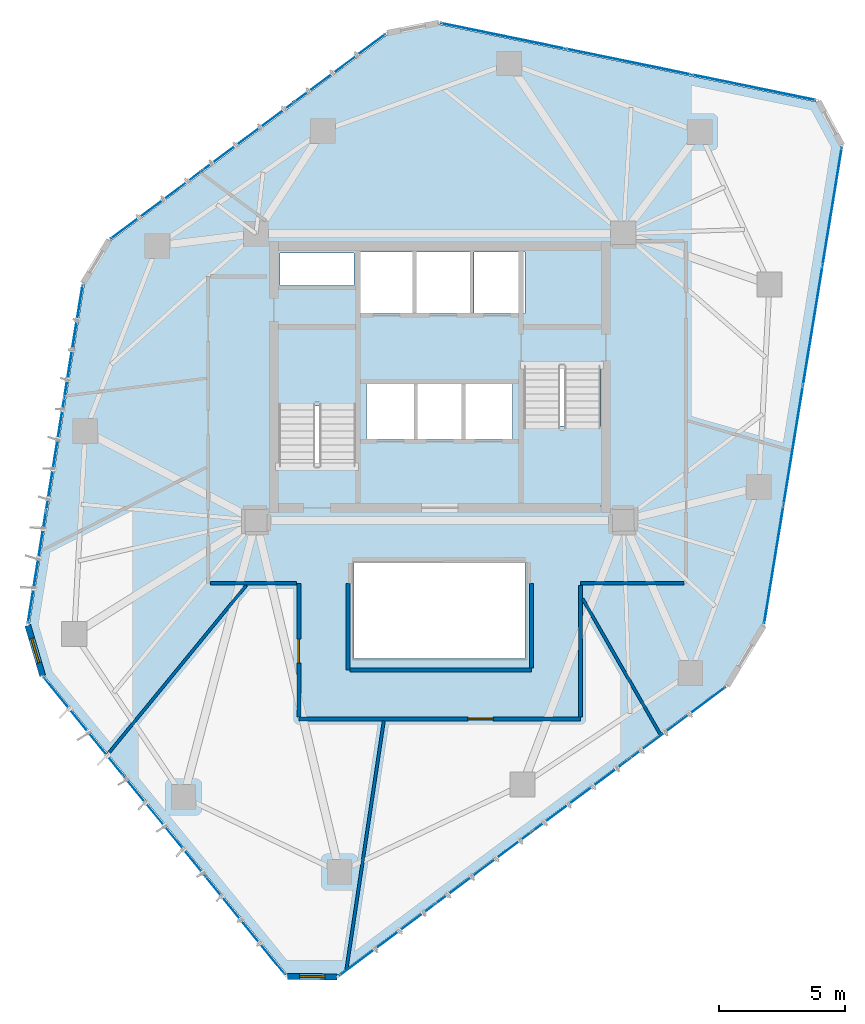
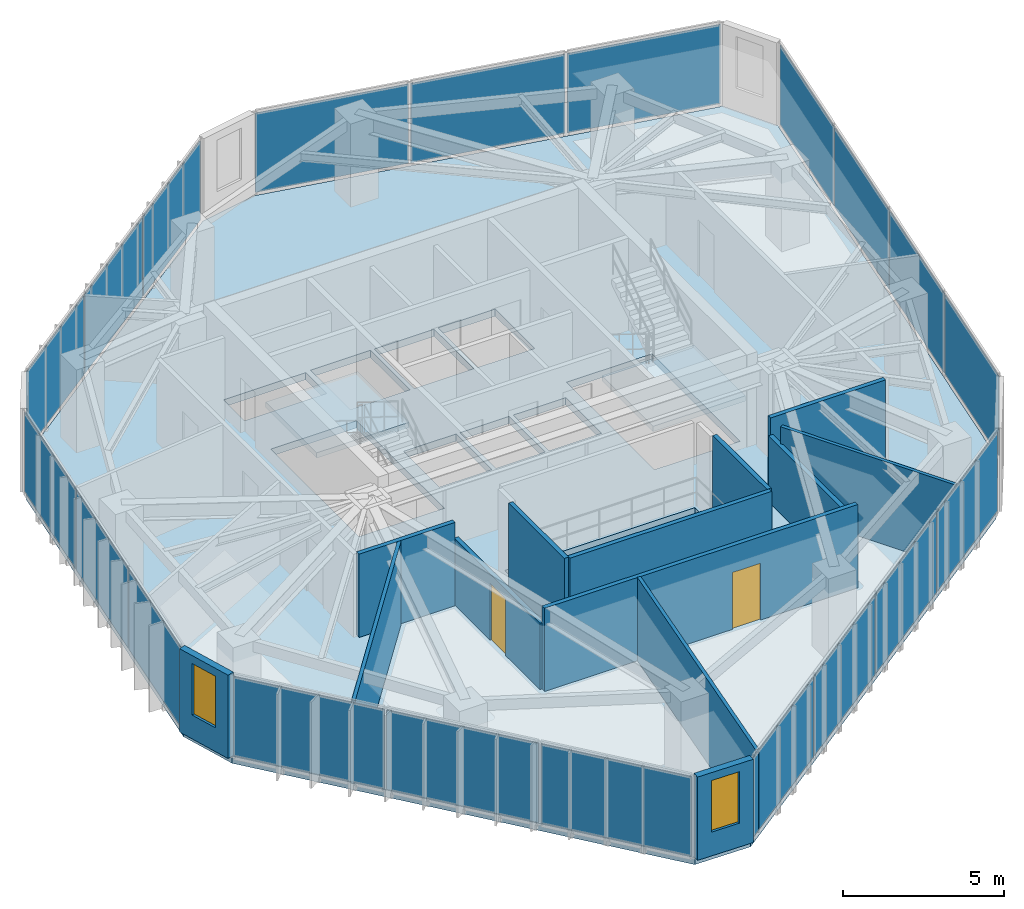
# One storey, part 16 of 20: 20 plates, 13 walls, 3 slabs, 2 doors, 2 windows, 4 openings, 8 elements without a shape of their own.
"""IFC4 building model written with IfcOpenShell, lengths in metres."""

from ifc_helpers import new_model, si_unit, direction, frame, frame_2d, origin, origin_2d, place, context, subcontext, project, spatial, polyline, rectangle, outline, extrude, source, transform, mapped, material, layer, layer_set, type_object, type_shapes, element, fill, aggregate, save


model = new_model("IFC4")

# Units and contexts
model_context = context("Model", 3, precision=1e-05, world=origin(), true_north=direction((0.0, 1.0)))
body_context = subcontext(model_context, "Body", "Model", "MODEL_VIEW")
ifc_project = project(units=[si_unit("LENGTHUNIT", "METRE"), si_unit("AREAUNIT", "SQUARE_METRE"), si_unit("VOLUMEUNIT", "CUBIC_METRE"), si_unit("PLANEANGLEUNIT", "RADIAN"), si_unit("MASSUNIT", "GRAM", prefix="KILO")], contexts=[model_context])

# Site, building, storey
site_placement = place(None, origin())
site = spatial("IfcSite", under=ifc_project, at=site_placement, CompositionType="ELEMENT")
building_placement = place(site_placement, origin())
building = spatial("IfcBuilding", under=site, at=building_placement, Name="Talar Marvaseh", CompositionType="ELEMENT")
storey_placement = place(building_placement, frame((0.0, 0.0, 198.5)))
storey = spatial("IfcBuildingStorey", under=building, at=storey_placement, Name="L52", CompositionType="ELEMENT", Elevation=198.5)

# Stair, slab
ifc_material_1 = material(Name="Concrete C40/50", Category="concrete")
stair_type = type_object("IfcStairType", Name="Reinforced Concrete High-Rise Exit Stair Type C", PredefinedType="HALF_TURN_STAIR", material=ifc_material_1)
stair_1_placement = place(storey_placement, origin())
stair_1 = element("IfcStair", 1, at=stair_1_placement, inside=storey, type_object=stair_type, Name="L52 Tower West Core Exit Stair", PredefinedType="HALF_TURN_STAIR")
ifc_layer_1 = layer(ifc_material_1, 0.199951171875)
ifc_layer_set_1 = layer_set([ifc_layer_1], Name="Concrete C40/50")
slab_type_1 = type_object("IfcSlabType", Name="Reinforced Concrete Stair Half-Landing Slab 200", PredefinedType="LANDING", material=ifc_layer_set_1)
slab_1_placement = place(storey_placement, frame((0.0, 0.0, 1.550048828125)))
slab_1 = element("IfcSlab", 2, at=slab_1_placement, type_object=slab_type_1, Name="ST-1 landing 1", PredefinedType="LANDING", context=body_context, shape_type="SweptSolid", body=[
    extrude(outline(polyline([(22.780029296875, 30.050048828125), (22.780029296875, 33.219970703125), (19.47998046875, 33.219970703125), (19.47998046875, 30.050048828125), (22.780029296875, 30.050048828125)])), origin(), (0.0, 0.0, 1.0), 0.199951171875),
])
aggregate(stair_1, [slab_1])

stair_2_placement = place(storey_placement, origin())
stair_2 = element("IfcStair", 3, at=stair_2_placement, inside=storey, type_object=stair_type, Name="L52 Tower East Core Exit Stair", PredefinedType="HALF_TURN_STAIR")
slab_2_placement = place(storey_placement, frame((0.0, 0.0, 1.550048828125)))
slab_2 = element("IfcSlab", 4, at=slab_2_placement, type_object=slab_type_1, Name="ST-2 landing 1", PredefinedType="LANDING", context=body_context, shape_type="SweptSolid", body=[
    extrude(outline(polyline([(29.219970703125, 29.25), (29.219970703125, 26.080078125), (32.52001953125, 26.080078125), (32.52001953125, 29.25), (29.219970703125, 29.25)])), origin(), (0.0, 0.0, 1.0), 0.199951171875),
])
aggregate(stair_2, [slab_2])

# Slab
ifc_layer_2 = layer(ifc_material_1, 0.27001953125)
ifc_layer_set_2 = layer_set([ifc_layer_2], Name="Concrete C40/50")
slab_type_2 = type_object("IfcSlabType", Name="Structural Suspended Floor Slab 270", PredefinedType="FLOOR", material=ifc_layer_set_2)
slab_3_placement = place(storey_placement, frame((0.0, 0.0, -0.27001953125)))
element("IfcSlab", 5, at=slab_3_placement, inside=storey, type_object=slab_type_2, Name="L52 Tower Floor Slab", PredefinedType="FLOOR", context=body_context, shape_type="SweptSolid", body=[
    extrude(outline(polyline([(21.922607421875, 7.40771484375), (19.9453125, 7.43603515625), (10.27197265625, 19.340576171875), (9.68310546875, 21.34423828125), (11.87451171875, 34.900146484375), (12.91357421875, 36.612548828125), (23.92578125, 44.815673828125), (25.97509765625, 45.218505859375), (41.001220703125, 42.13525390625), (41.939453125, 40.394287109375), (38.836181640625, 21.357421875), (37.375732421875, 18.95068359375), (21.922607421875, 7.40771484375)]), holes=[polyline([(22.659912109375, 27.64990234375), (22.659912109375, 33.10009765625), (19.60009765625, 33.10009765625), (19.60009765625, 27.64990234375), (22.659912109375, 27.64990234375)]), polyline([(29.340087890625, 31.64990234375), (29.340087890625, 26.199951171875), (32.39990234375, 26.199951171875), (32.39990234375, 31.64990234375), (29.340087890625, 31.64990234375)]), polyline([(22.800048828125, 33.719970703125), (24.93994140625, 33.719970703125), (24.93994140625, 36.179931640625), (22.800048828125, 36.179931640625), (22.800048828125, 33.719970703125)]), polyline([(25.080078125, 33.719970703125), (27.219970703125, 33.719970703125), (27.219970703125, 36.179931640625), (25.080078125, 36.179931640625), (25.080078125, 33.719970703125)]), polyline([(27.360107421875, 33.719970703125), (29.39990234375, 33.719970703125), (29.39990234375, 36.179931640625), (27.360107421875, 36.179931640625), (27.360107421875, 33.719970703125)]), polyline([(23.10009765625, 28.719970703125), (24.97998046875, 28.719970703125), (24.97998046875, 30.93994140625), (23.10009765625, 30.93994140625), (23.10009765625, 28.719970703125)]), polyline([(25.1201171875, 28.719970703125), (26.8798828125, 28.719970703125), (26.8798828125, 30.93994140625), (25.1201171875, 30.93994140625), (25.1201171875, 28.719970703125)]), polyline([(27.02001953125, 28.719970703125), (28.89990234375, 28.719970703125), (28.89990234375, 30.93994140625), (27.02001953125, 30.93994140625), (27.02001953125, 28.719970703125)]), polyline([(19.659912109375, 34.840087890625), (22.60009765625, 34.840087890625), (22.60009765625, 36.139892578125), (19.659912109375, 36.139892578125), (19.659912109375, 34.840087890625)]), polyline([(22.60009765625, 20.0), (29.39990234375, 20.0), (29.39990234375, 23.800048828125), (22.60009765625, 23.800048828125), (22.60009765625, 20.0)])]), origin(), (0.0, 0.0, 1.0), 0.27001953125),
])

# Curtain wall, plates
ifc_material_2 = material(Name="Architectural Aluminium", Category="aluminium")
ifc_layer_3 = layer(ifc_material_2, 0.18994140625)
ifc_layer_set_3 = layer_set([ifc_layer_3], Name="Architectural Aluminium")
curtain_wall_type = type_object("IfcCurtainWallType", Name="Unitised Solar Atelier Curtain Wall Z3", PredefinedType="NOTDEFINED", material=ifc_layer_set_3)
curtain_wall_1_placement = place(storey_placement, origin())
curtain_wall_1 = element("IfcCurtainWall", 6, at=curtain_wall_1_placement, inside=storey, type_object=curtain_wall_type, Name="L52 Unitised Solar Atelier Curtain Wall Z3", PredefinedType="NOTDEFINED")
ifc_material_3 = material(Name="Laminated Low-E Solar Glass", Category="glass")
ifc_layer_4 = layer(ifc_material_3, 0.028076171875)
ifc_layer_set_4 = layer_set([ifc_layer_4], Name="Laminated Low-E Solar Glass")
plate_type = type_object("IfcPlateType", Name="Double-Glazed Low-E Vision Curtain Panel 28", PredefinedType="CURTAIN_PANEL", material=ifc_layer_set_4)
shared_shape_1 = source(origin(), body_context, "Body", "SweptSolid", [
    extrude(rectangle(XDim=5.00048828125, YDim=0.028076171875, at=origin_2d()), origin(), (0.0, 0.0, 1.0), 3.0),
])
plate_1_placement = place(storey_placement, frame((18.274658203125, 9.39697265625, 0.074951171875), z_axis=(0.0, 0.0, 1.0), x_axis=(-0.630626985138, 0.776086081319, 0.0)))
plate_1 = element("IfcPlate", 7, at=plate_1_placement, type_object=plate_type, Name="CW-Z3 panel 1.1", PredefinedType="CURTAIN_PANEL", context=body_context, shape_type="MappedRepresentation", body=[
    mapped(shared_shape_1, transform((0.0, 0.0, 0.0), x_axis=(1.0, 0.0, 0.0), y_axis=(0.0, 1.0, 0.0), z_axis=(0.0, 0.0, 1.0), scale=1.0)),
])
plate_2_placement = place(storey_placement, frame((11.849365234375, 17.30419921875, 0.074951171875), z_axis=(0.0, 0.0, 1.0), x_axis=(-0.630626985138, 0.776086081319, 0.0)))
plate_2 = element("IfcPlate", 8, at=plate_2_placement, type_object=plate_type, Name="CW-Z3 panel 3.1", PredefinedType="CURTAIN_PANEL", context=body_context, shape_type="MappedRepresentation", body=[
    mapped(shared_shape_1, transform((0.0, 0.0, 0.0), x_axis=(1.0, 0.0, 0.0), y_axis=(0.0, 1.0, 0.0), z_axis=(0.0, 0.0, 1.0), scale=1.0)),
])

curtain_wall_2_placement = place(storey_placement, origin())
curtain_wall_2 = element("IfcCurtainWall", 9, at=curtain_wall_2_placement, inside=storey, type_object=curtain_wall_type, Name="L52 Unitised Solar Atelier Curtain Wall Z3", PredefinedType="NOTDEFINED")
plate_3_placement = place(storey_placement, frame((28.510009765625, 44.759765625, 0.074951171875), z_axis=(0.0, 0.0, 1.0), x_axis=(0.979589042733, -0.201010714536, 0.0)))
plate_3 = element("IfcPlate", 10, at=plate_3_placement, type_object=plate_type, Name="CW-Z3 panel 1.1", PredefinedType="CURTAIN_PANEL", context=body_context, shape_type="MappedRepresentation", body=[
    mapped(shared_shape_1, transform((0.0, 0.0, 0.0), x_axis=(1.0, 0.0, 0.0), y_axis=(0.0, 1.0, 0.0), z_axis=(0.0, 0.0, 1.0), scale=1.0)),
])
plate_4_placement = place(storey_placement, frame((38.490478515625, 42.711669921875, 0.074951171875), z_axis=(0.0, 0.0, 1.0), x_axis=(0.979589042733, -0.201010714536, 0.0)))
plate_4 = element("IfcPlate", 11, at=plate_4_placement, type_object=plate_type, Name="CW-Z3 panel 3.1", PredefinedType="CURTAIN_PANEL", context=body_context, shape_type="MappedRepresentation", body=[
    mapped(shared_shape_1, transform((0.0, 0.0, 0.0), x_axis=(1.0, 0.0, 0.0), y_axis=(0.0, 1.0, 0.0), z_axis=(0.0, 0.0, 1.0), scale=1.0)),
])

# Plate
shared_shape_2 = source(origin(), body_context, "Body", "SweptSolid", [
    extrude(rectangle(XDim=5.0380859375, YDim=0.028076171875, at=origin_2d()), origin(), (0.0, 0.0, 1.0), 3.0),
])
plate_5_placement = place(storey_placement, frame((15.06201171875, 13.3505859375, 0.074951171875), z_axis=(0.0, 0.0, 1.0), x_axis=(-0.630626985138, 0.776086081319, 0.0)))
plate_5 = element("IfcPlate", 12, at=plate_5_placement, type_object=plate_type, Name="CW-Z3 panel 2.1", PredefinedType="CURTAIN_PANEL", context=body_context, shape_type="MappedRepresentation", body=[
    mapped(shared_shape_2, transform((0.0, 0.0, 0.0), x_axis=(1.0, 0.0, 0.0), y_axis=(0.0, 1.0, 0.0), z_axis=(0.0, 0.0, 1.0), scale=1.0)),
])

aggregate(curtain_wall_1, [plate_1, plate_5, plate_2])

plate_6_placement = place(storey_placement, frame((33.500244140625, 43.735595703125, 0.074951171875), z_axis=(0.0, 0.0, 1.0), x_axis=(0.979589042733, -0.201010714536, 0.0)))
plate_6 = element("IfcPlate", 13, at=plate_6_placement, type_object=plate_type, Name="CW-Z3 panel 2.1", PredefinedType="CURTAIN_PANEL", context=body_context, shape_type="MappedRepresentation", body=[
    mapped(shared_shape_2, transform((0.0, 0.0, 0.0), x_axis=(1.0, 0.0, 0.0), y_axis=(0.0, 1.0, 0.0), z_axis=(0.0, 0.0, 1.0), scale=1.0)),
])

aggregate(curtain_wall_2, [plate_3, plate_6, plate_4])

# Curtain wall, plates
curtain_wall_3_placement = place(storey_placement, origin())
curtain_wall_3 = element("IfcCurtainWall", 14, at=curtain_wall_3_placement, inside=storey, type_object=curtain_wall_type, Name="L52 Unitised Solar Atelier Curtain Wall Z3", PredefinedType="NOTDEFINED")
shared_shape_3 = source(origin(), body_context, "Body", "SweptSolid", [
    extrude(rectangle(XDim=4.46484375, YDim=0.028076171875, at=origin_2d()), origin(), (0.0, 0.0, 1.0), 3.0),
])
plate_7_placement = place(storey_placement, frame((9.9921875, 23.631591796875, 0.074951171875), z_axis=(0.0, 0.0, 1.0), x_axis=(0.159571747475, 0.987186333682, 0.0)))
plate_7 = element("IfcPlate", 15, at=plate_7_placement, type_object=plate_type, Name="CW-Z3 panel 1.1", PredefinedType="CURTAIN_PANEL", context=body_context, shape_type="MappedRepresentation", body=[
    mapped(shared_shape_3, transform((0.0, 0.0, 0.0), x_axis=(1.0, 0.0, 0.0), y_axis=(0.0, 1.0, 0.0), z_axis=(0.0, 0.0, 1.0), scale=1.0)),
])
plate_8_placement = place(storey_placement, frame((11.447021484375, 32.6318359375, 0.074951171875), z_axis=(0.0, 0.0, 1.0), x_axis=(0.159571747475, 0.987186333682, 0.0)))
plate_8 = element("IfcPlate", 16, at=plate_8_placement, type_object=plate_type, Name="CW-Z3 panel 3.1", PredefinedType="CURTAIN_PANEL", context=body_context, shape_type="MappedRepresentation", body=[
    mapped(shared_shape_3, transform((0.0, 0.0, 0.0), x_axis=(1.0, 0.0, 0.0), y_axis=(0.0, 1.0, 0.0), z_axis=(0.0, 0.0, 1.0), scale=1.0)),
])

curtain_wall_4_placement = place(storey_placement, origin())
curtain_wall_4 = element("IfcCurtainWall", 17, at=curtain_wall_4_placement, inside=storey, type_object=curtain_wall_type, Name="L52 Unitised Solar Atelier Curtain Wall Z3", PredefinedType="NOTDEFINED")
plate_9_placement = place(storey_placement, frame((14.728271484375, 38.0390625, 0.074951171875), z_axis=(0.0, 0.0, 1.0), x_axis=(0.801961085514, 0.597376277836, 0.0)))
plate_9 = element("IfcPlate", 18, at=plate_9_placement, type_object=plate_type, Name="CW-Z3 panel 1.1", PredefinedType="CURTAIN_PANEL", context=body_context, shape_type="MappedRepresentation", body=[
    mapped(shared_shape_3, transform((0.0, 0.0, 0.0), x_axis=(1.0, 0.0, 0.0), y_axis=(0.0, 1.0, 0.0), z_axis=(0.0, 0.0, 1.0), scale=1.0)),
])
plate_10_placement = place(storey_placement, frame((22.039794921875, 43.4853515625, 0.074951171875), z_axis=(0.0, 0.0, 1.0), x_axis=(0.801961085514, 0.597376277836, 0.0)))
plate_10 = element("IfcPlate", 19, at=plate_10_placement, type_object=plate_type, Name="CW-Z3 panel 3.1", PredefinedType="CURTAIN_PANEL", context=body_context, shape_type="MappedRepresentation", body=[
    mapped(shared_shape_3, transform((0.0, 0.0, 0.0), x_axis=(1.0, 0.0, 0.0), y_axis=(0.0, 1.0, 0.0), z_axis=(0.0, 0.0, 1.0), scale=1.0)),
])

# Plate
shared_shape_4 = source(origin(), body_context, "Body", "SweptSolid", [
    extrude(rectangle(XDim=4.502197265625, YDim=0.028076171875, at=origin_2d()), origin(), (0.0, 0.0, 1.0), 3.0),
])
plate_11_placement = place(storey_placement, frame((10.719482421875, 28.1318359375, 0.074951171875), z_axis=(0.0, 0.0, 1.0), x_axis=(0.159571747475, 0.987186333682, 0.0)))
plate_11 = element("IfcPlate", 20, at=plate_11_placement, type_object=plate_type, Name="CW-Z3 panel 2.1", PredefinedType="CURTAIN_PANEL", context=body_context, shape_type="MappedRepresentation", body=[
    mapped(shared_shape_4, transform((0.0, 0.0, 0.0), x_axis=(1.0, 0.0, 0.0), y_axis=(0.0, 1.0, 0.0), z_axis=(0.0, 0.0, 1.0), scale=1.0)),
])

aggregate(curtain_wall_3, [plate_7, plate_11, plate_8])

plate_12_placement = place(storey_placement, frame((18.384033203125, 40.76220703125, 0.074951171875), z_axis=(0.0, 0.0, 1.0), x_axis=(0.801961085514, 0.597376277836, 0.0)))
plate_12 = element("IfcPlate", 21, at=plate_12_placement, type_object=plate_type, Name="CW-Z3 panel 2.1", PredefinedType="CURTAIN_PANEL", context=body_context, shape_type="MappedRepresentation", body=[
    mapped(shared_shape_4, transform((0.0, 0.0, 0.0), x_axis=(1.0, 0.0, 0.0), y_axis=(0.0, 1.0, 0.0), z_axis=(0.0, 0.0, 1.0), scale=1.0)),
])

aggregate(curtain_wall_4, [plate_9, plate_12, plate_10])

# Curtain wall, plates
curtain_wall_5_placement = place(storey_placement, origin())
curtain_wall_5 = element("IfcCurtainWall", 22, at=curtain_wall_5_placement, inside=storey, type_object=curtain_wall_type, Name="L52 Unitised Solar Atelier Curtain Wall Z3", PredefinedType="NOTDEFINED")
shared_shape_5 = source(origin(), body_context, "Body", "SweptSolid", [
    extrude(rectangle(XDim=4.70947265625, YDim=0.028076171875, at=origin_2d()), origin(), (0.0, 0.0, 1.0), 3.0),
])
plate_13_placement = place(storey_placement, frame((41.607666015625, 37.986328125, 0.074951171875), z_axis=(0.0, 0.0, 1.0), x_axis=(-0.160896300608, -0.986971316934, 0.0)))
plate_13 = element("IfcPlate", 23, at=plate_13_placement, type_object=plate_type, Name="CW-Z3 panel 1.1", PredefinedType="CURTAIN_PANEL", context=body_context, shape_type="MappedRepresentation", body=[
    mapped(shared_shape_5, transform((0.0, 0.0, 0.0), x_axis=(1.0, 0.0, 0.0), y_axis=(0.0, 1.0, 0.0), z_axis=(0.0, 0.0, 1.0), scale=1.0)),
])
plate_14_placement = place(storey_placement, frame((39.2861328125, 23.74560546875, 0.074951171875), z_axis=(0.0, 0.0, 1.0), x_axis=(-0.160896300608, -0.986971316934, 0.0)))
plate_14 = element("IfcPlate", 24, at=plate_14_placement, type_object=plate_type, Name="CW-Z3 panel 4.1", PredefinedType="CURTAIN_PANEL", context=body_context, shape_type="MappedRepresentation", body=[
    mapped(shared_shape_5, transform((0.0, 0.0, 0.0), x_axis=(1.0, 0.0, 0.0), y_axis=(0.0, 1.0, 0.0), z_axis=(0.0, 0.0, 1.0), scale=1.0)),
])

curtain_wall_6_placement = place(storey_placement, origin())
curtain_wall_6 = element("IfcCurtainWall", 25, at=curtain_wall_6_placement, inside=storey, type_object=curtain_wall_type, Name="L52 Unitised Solar Atelier Curtain Wall Z3", PredefinedType="NOTDEFINED")
plate_15_placement = place(storey_placement, frame((35.46484375, 17.448486328125, 0.074951171875), z_axis=(0.0, 0.0, 1.0), x_axis=(-0.801161899523, -0.598447667514, 0.0)))
plate_15 = element("IfcPlate", 26, at=plate_15_placement, type_object=plate_type, Name="CW-Z3 panel 1.1", PredefinedType="CURTAIN_PANEL", context=body_context, shape_type="MappedRepresentation", body=[
    mapped(shared_shape_5, transform((0.0, 0.0, 0.0), x_axis=(1.0, 0.0, 0.0), y_axis=(0.0, 1.0, 0.0), z_axis=(0.0, 0.0, 1.0), scale=1.0)),
])
plate_16_placement = place(storey_placement, frame((23.9052734375, 8.8134765625, 0.074951171875), z_axis=(0.0, 0.0, 1.0), x_axis=(-0.801161899523, -0.598447667514, 0.0)))
plate_16 = element("IfcPlate", 27, at=plate_16_placement, type_object=plate_type, Name="CW-Z3 panel 4.1", PredefinedType="CURTAIN_PANEL", context=body_context, shape_type="MappedRepresentation", body=[
    mapped(shared_shape_5, transform((0.0, 0.0, 0.0), x_axis=(1.0, 0.0, 0.0), y_axis=(0.0, 1.0, 0.0), z_axis=(0.0, 0.0, 1.0), scale=1.0)),
])

# Plate
shared_shape_6 = source(origin(), body_context, "Body", "SweptSolid", [
    extrude(rectangle(XDim=4.7470703125, YDim=0.028076171875, at=origin_2d()), origin(), (0.0, 0.0, 1.0), 3.0),
])
type_shapes(plate_type, [shared_shape_1, shared_shape_2, shared_shape_3, shared_shape_4, shared_shape_5, shared_shape_6])
plate_17_placement = place(storey_placement, frame((40.8349609375, 33.24560546875, 0.074951171875), z_axis=(0.0, 0.0, 1.0), x_axis=(-0.160896300608, -0.986971316934, 0.0)))
plate_17 = element("IfcPlate", 28, at=plate_17_placement, type_object=plate_type, Name="CW-Z3 panel 2.1", PredefinedType="CURTAIN_PANEL", context=body_context, shape_type="MappedRepresentation", body=[
    mapped(shared_shape_6, transform((0.0, 0.0, 0.0), x_axis=(1.0, 0.0, 0.0), y_axis=(0.0, 1.0, 0.0), z_axis=(0.0, 0.0, 1.0), scale=1.0)),
])

plate_18_placement = place(storey_placement, frame((40.05908203125, 28.486328125, 0.074951171875), z_axis=(0.0, 0.0, 1.0), x_axis=(-0.160896300608, -0.986971316934, 0.0)))
plate_18 = element("IfcPlate", 29, at=plate_18_placement, type_object=plate_type, Name="CW-Z3 panel 3.1", PredefinedType="CURTAIN_PANEL", context=body_context, shape_type="MappedRepresentation", body=[
    mapped(shared_shape_6, transform((0.0, 0.0, 0.0), x_axis=(1.0, 0.0, 0.0), y_axis=(0.0, 1.0, 0.0), z_axis=(0.0, 0.0, 1.0), scale=1.0)),
])

aggregate(curtain_wall_5, [plate_13, plate_17, plate_18, plate_14])

plate_19_placement = place(storey_placement, frame((31.61669921875, 14.573974609375, 0.074951171875), z_axis=(0.0, 0.0, 1.0), x_axis=(-0.801161899523, -0.598447667514, 0.0)))
plate_19 = element("IfcPlate", 30, at=plate_19_placement, type_object=plate_type, Name="CW-Z3 panel 2.1", PredefinedType="CURTAIN_PANEL", context=body_context, shape_type="MappedRepresentation", body=[
    mapped(shared_shape_6, transform((0.0, 0.0, 0.0), x_axis=(1.0, 0.0, 0.0), y_axis=(0.0, 1.0, 0.0), z_axis=(0.0, 0.0, 1.0), scale=1.0)),
])

plate_20_placement = place(storey_placement, frame((27.75341796875, 11.688232421875, 0.074951171875), z_axis=(0.0, 0.0, 1.0), x_axis=(-0.801161899523, -0.598447667514, 0.0)))
plate_20 = element("IfcPlate", 31, at=plate_20_placement, type_object=plate_type, Name="CW-Z3 panel 3.1", PredefinedType="CURTAIN_PANEL", context=body_context, shape_type="MappedRepresentation", body=[
    mapped(shared_shape_6, transform((0.0, 0.0, 0.0), x_axis=(1.0, 0.0, 0.0), y_axis=(0.0, 1.0, 0.0), z_axis=(0.0, 0.0, 1.0), scale=1.0)),
])

aggregate(curtain_wall_6, [plate_15, plate_19, plate_20, plate_16])

# Wall, opening, window
ifc_material_4 = material(Name="Precast concrete C45/55", Category="concrete")
ifc_layer_5 = layer(ifc_material_4, 0.239990234375)
ifc_layer_set_5 = layer_set([ifc_layer_5], Name="Precast concrete C45/55")
wall_type_1 = type_object("IfcWallType", Name="Chamfered Hexagonal Corner Pier Wall Z3 240", PredefinedType="SOLIDWALL", material=ifc_layer_set_5)
wall_1_placement = place(storey_placement, frame((21.921875, 7.34765625, 0.0), z_axis=(0.0, 0.0, 1.0), x_axis=(-0.999895695334, 0.014442937821, 0.0)))
wall_1 = element("IfcWall", 32, at=wall_1_placement, inside=storey, type_object=wall_type_1, Name="L52 Chamfered Corner Limestone Pier 1", PredefinedType="SOLIDWALL", context=body_context, shape_type="SweptSolid", body=[
    extrude(rectangle(XDim=1.977783203125, YDim=0.239990234375, at=frame_2d((0.98876953125, 0.0))), origin(), (0.0, 0.0, 1.0), 3.14990234375),
])
opening_1_placement = place(wall_1_placement, frame((0.489013671875, 0.0, 0.89990234375)))
opening_1 = element("IfcOpeningElement", 33, at=opening_1_placement, cuts=wall_1, Name="Opening WN-CHM10", PredefinedType="OPENING", context=body_context, shape_type="SweptSolid", body=[
    extrude(rectangle(XDim=1.0, YDim=1.949951171875, at=frame_2d((0.5, 0.97509765625))), frame((0.0, 0.1298828125, 0.0), z_axis=(0.0, -1.0, 0.0), x_axis=(1.0, 0.0, 0.0)), (0.0, 0.0, 1.0), 0.260009765625),
])
window_type = type_object("IfcWindowType", Name="Zone 3 Chamfered Corner Slot Window 1000x1950", PartitioningType="SINGLE_PANEL", PredefinedType="WINDOW", material=ifc_material_3)
shared_shape_7 = source(origin(), body_context, "Body", "SweptSolid", [
    extrude(rectangle(XDim=1.0, YDim=1.949951171875, at=frame_2d((0.5, 0.97509765625))), frame((0.0, 0.030029296875, 0.0), z_axis=(0.0, -1.0, 0.0), x_axis=(1.0, 0.0, 0.0)), (0.0, 0.0, 1.0), 0.06005859375),
])
type_shapes(window_type, [shared_shape_7])
window_1_placement = place(opening_1_placement, origin())
window_1 = element("IfcWindow", 34, at=window_1_placement, inside=storey, type_object=window_type, Name="L52 Chamfered Corner Slot Window", OverallHeight=1.949951171875, OverallWidth=1.0, PartitioningType="SINGLE_PANEL", PredefinedType="WINDOW", context=body_context, shape_type="MappedRepresentation", body=[
    mapped(shared_shape_7, transform((0.0, 0.0, 0.0), x_axis=(1.0, 0.0, 0.0), y_axis=(0.0, 1.0, 0.0), z_axis=(0.0, 0.0, 1.0), scale=1.0)),
])
fill(opening_1, window_1)

wall_2_placement = place(storey_placement, frame((10.21435546875, 19.323486328125, 0.0), z_axis=(0.0, 0.0, 1.0), x_axis=(-0.281938492365, 0.959432481482, 0.0)))
wall_2 = element("IfcWall", 35, at=wall_2_placement, inside=storey, type_object=wall_type_1, Name="L52 Chamfered Corner Limestone Pier 2", PredefinedType="SOLIDWALL", context=body_context, shape_type="SweptSolid", body=[
    extrude(rectangle(XDim=2.088623046875, YDim=0.239990234375, at=frame_2d((1.04443359375, 0.0))), origin(), (0.0, 0.0, 1.0), 3.14990234375),
])
opening_2_placement = place(wall_2_placement, frame((0.5439453125, 0.0, 0.89990234375)))
opening_2 = element("IfcOpeningElement", 36, at=opening_2_placement, cuts=wall_2, Name="Opening WN-CHM10", PredefinedType="OPENING", context=body_context, shape_type="SweptSolid", body=[
    extrude(rectangle(XDim=1.0, YDim=1.949951171875, at=frame_2d((0.5, 0.97509765625))), frame((0.0, 0.1298828125, 0.0), z_axis=(0.0, -1.0, 0.0), x_axis=(1.0, 0.0, 0.0)), (0.0, 0.0, 1.0), 0.260009765625),
])
window_2_placement = place(opening_2_placement, origin())
window_2 = element("IfcWindow", 37, at=window_2_placement, inside=storey, type_object=window_type, Name="L52 Chamfered Corner Slot Window", OverallHeight=1.949951171875, OverallWidth=1.0, PartitioningType="SINGLE_PANEL", PredefinedType="WINDOW", context=body_context, shape_type="MappedRepresentation", body=[
    mapped(shared_shape_7, transform((0.0, 0.0, 0.0), x_axis=(1.0, 0.0, 0.0), y_axis=(0.0, 1.0, 0.0), z_axis=(0.0, 0.0, 1.0), scale=1.0)),
])
fill(opening_2, window_2)

# Wall, opening, door
ifc_material_5 = material(Name="Gypsum Board Partition Assembly")
ifc_layer_6 = layer(ifc_material_5, 0.155029296875)
ifc_layer_set_6 = layer_set([ifc_layer_6], Name="Gypsum Board Partition Assembly")
wall_type_2 = type_object("IfcWallType", Name="Corridor Fire-Rated Acoustic Partition 155", PredefinedType="PARTITIONING", material=ifc_layer_set_6)
wall_3_placement = place(storey_placement, frame((31.60009765625, 17.60009765625, 0.0), z_axis=(0.0, 0.0, 1.0), x_axis=(-1.0, 0.0, 0.0)))
wall_3 = element("IfcWall", 38, at=wall_3_placement, inside=storey, type_object=wall_type_2, Name="L52 Interior Partition Wall", PredefinedType="PARTITIONING", context=body_context, shape_type="SweptSolid", body=[
    extrude(rectangle(XDim=11.2001953125, YDim=0.155029296875, at=frame_2d((5.60009765625, 0.0))), origin(), (0.0, 0.0, 1.0), 3.14990234375),
])
opening_3_placement = place(wall_3_placement, frame((3.475341796875, 0.0, 0.0)))
opening_3 = element("IfcOpeningElement", 39, at=opening_3_placement, cuts=wall_3, Name="Opening DR-RM100", PredefinedType="OPENING", context=body_context, shape_type="SweptSolid", body=[
    extrude(rectangle(XDim=1.0, YDim=2.14990234375, at=frame_2d((0.5, 1.074951171875))), frame((0.0, 0.08740234375, 0.0), z_axis=(0.0, -1.0, 0.0), x_axis=(1.0, 0.0, 0.0)), (0.0, 0.0, 1.0), 0.175048828125),
])
ifc_material_6 = material(Name="Acoustic Engineered Oak Timber", Category="wood")
door_type_1 = type_object("IfcDoorType", Name="Corridor Fire-Rated Gallery Door 1000x2150", OperationType="NOTDEFINED", PredefinedType="DOOR", material=ifc_material_6)
shared_shape_8 = source(origin(), body_context, "Body", "SweptSolid", [
    extrude(rectangle(XDim=1.0, YDim=2.14990234375, at=frame_2d((0.5, 1.074951171875))), frame((0.0, 0.02490234375, 0.0), z_axis=(0.0, -1.0, 0.0), x_axis=(1.0, 0.0, 0.0)), (0.0, 0.0, 1.0), 0.050048828125),
])
type_shapes(door_type_1, [shared_shape_8])
door_1_placement = place(opening_3_placement, origin())
door_1 = element("IfcDoor", 40, at=door_1_placement, inside=storey, type_object=door_type_1, Name="L52 Colloquium Boardroom Door", OperationType="SINGLE_SWING_LEFT", OverallHeight=2.14990234375, OverallWidth=1.0, PredefinedType="DOOR", context=body_context, shape_type="MappedRepresentation", body=[
    mapped(shared_shape_8, transform((0.0, 0.0, 0.0), x_axis=(1.0, 0.0, 0.0), y_axis=(0.0, 1.0, 0.0), z_axis=(0.0, 0.0, 1.0), scale=1.0)),
])
fill(opening_3, door_1)

wall_4_placement = place(storey_placement, frame((20.39990234375, 17.68359375, 0.0), z_axis=(0.0, 0.0, 1.0), x_axis=(0.0, 1.0, 0.0)))
wall_4 = element("IfcWall", 41, at=wall_4_placement, inside=storey, type_object=wall_type_2, Name="L52 Interior Partition Wall", PredefinedType="PARTITIONING", context=body_context, shape_type="SweptSolid", body=[
    extrude(rectangle(XDim=5.31640625, YDim=0.155029296875, at=frame_2d((2.658203125, 0.0))), origin(), (0.0, 0.0, 1.0), 2.509033203125),
])
opening_4_placement = place(wall_4_placement, frame((2.1416015625, 0.0, 0.0)))
opening_4 = element("IfcOpeningElement", 42, at=opening_4_placement, cuts=wall_4, Name="Opening DR-WC095", PredefinedType="OPENING", context=body_context, shape_type="SweptSolid", body=[
    extrude(rectangle(XDim=0.949951171875, YDim=2.14990234375, at=frame_2d((0.47509765625, 1.074951171875))), frame((0.0, 0.08740234375, 0.0), z_axis=(0.0, -1.0, 0.0), x_axis=(1.0, 0.0, 0.0)), (0.0, 0.0, 1.0), 0.175048828125),
])
door_type_2 = type_object("IfcDoorType", Name="Washroom and Service Room Door 950x2150", OperationType="NOTDEFINED", PredefinedType="DOOR", material=ifc_material_6)
shared_shape_9 = source(origin(), body_context, "Body", "SweptSolid", [
    extrude(rectangle(XDim=0.949951171875, YDim=2.14990234375, at=frame_2d((0.47509765625, 1.074951171875))), frame((0.0, 0.02490234375, 0.0), z_axis=(0.0, -1.0, 0.0), x_axis=(1.0, 0.0, 0.0)), (0.0, 0.0, 1.0), 0.050048828125),
])
type_shapes(door_type_2, [shared_shape_9])
door_2_placement = place(opening_4_placement, origin())
door_2 = element("IfcDoor", 43, at=door_2_placement, inside=storey, type_object=door_type_2, Name="L52 Hospitality Tea Pantry Door", OperationType="SINGLE_SWING_RIGHT", OverallHeight=2.14990234375, OverallWidth=0.949951171875, PredefinedType="DOOR", context=body_context, shape_type="MappedRepresentation", body=[
    mapped(shared_shape_9, transform((0.0, 0.0, 0.0), x_axis=(1.0, 0.0, 0.0), y_axis=(0.0, 1.0, 0.0), z_axis=(0.0, 0.0, 1.0), scale=1.0)),
])
fill(opening_4, door_2)

# Walls
wall_5_placement = place(storey_placement, frame((35.716552734375, 23.0, 0.0), z_axis=(0.0, 0.0, 1.0), x_axis=(-1.0, 0.0, 0.0)))
element("IfcWall", 44, at=wall_5_placement, inside=storey, type_object=wall_type_2, Name="L52 Interior Partition Wall", PredefinedType="PARTITIONING", context=body_context, shape_type="SweptSolid", body=[
    extrude(rectangle(XDim=4.116455078125, YDim=0.155029296875, at=frame_2d((2.05810546875, 0.0))), origin(), (0.0, 0.0, 1.0), 3.14990234375),
])
wall_6_placement = place(storey_placement, frame((31.60009765625, 22.91650390625, 0.0), z_axis=(0.0, 0.0, 1.0), x_axis=(0.0, -1.0, 0.0)))
element("IfcWall", 45, at=wall_6_placement, inside=storey, type_object=wall_type_2, Name="L52 Interior Partition Wall", PredefinedType="PARTITIONING", context=body_context, shape_type="SweptSolid", body=[
    extrude(rectangle(XDim=5.23291015625, YDim=0.155029296875, at=frame_2d((2.616455078125, 0.0))), origin(), (0.0, 0.0, 1.0), 2.509033203125),
])
wall_7_placement = place(storey_placement, frame((20.31640625, 23.0, 0.0), z_axis=(0.0, 0.0, 1.0), x_axis=(-1.0, 0.0, 0.0)))
element("IfcWall", 46, at=wall_7_placement, inside=storey, type_object=wall_type_2, Name="L52 Interior Partition Wall", PredefinedType="PARTITIONING", context=body_context, shape_type="SweptSolid", body=[
    extrude(rectangle(XDim=3.432861328125, YDim=0.155029296875, at=frame_2d((1.71630859375, 0.0))), origin(), (0.0, 0.0, 1.0), 3.14990234375),
])
wall_8_placement = place(storey_placement, frame((22.35009765625, 23.0, 0.0), z_axis=(0.0, 0.0, 1.0), x_axis=(0.0, -1.0, 0.0)))
element("IfcWall", 47, at=wall_8_placement, inside=storey, type_object=wall_type_2, Name="L52 Interior Partition Wall", PredefinedType="PARTITIONING", context=body_context, shape_type="SweptSolid", body=[
    extrude(rectangle(XDim=3.449951171875, YDim=0.155029296875, at=frame_2d((1.72509765625, 0.0))), origin(), (0.0, 0.0, 1.0), 3.14990234375),
])
wall_9_placement = place(storey_placement, frame((22.43359375, 19.550048828125, 0.0), z_axis=(0.0, 0.0, 1.0), x_axis=(1.0, 0.0, 0.0)))
element("IfcWall", 48, at=wall_9_placement, inside=storey, type_object=wall_type_2, Name="L52 Interior Partition Wall", PredefinedType="PARTITIONING", context=body_context, shape_type="SweptSolid", body=[
    extrude(rectangle(XDim=7.21630859375, YDim=0.155029296875, at=frame_2d((3.608154296875, 0.0))), origin(), (0.0, 0.0, 1.0), 3.14990234375),
])
wall_10_placement = place(storey_placement, frame((29.64990234375, 19.633544921875, 0.0), z_axis=(0.0, 0.0, 1.0), x_axis=(0.0, 1.0, 0.0)))
element("IfcWall", 49, at=wall_10_placement, inside=storey, type_object=wall_type_2, Name="L52 Interior Partition Wall", PredefinedType="PARTITIONING", context=body_context, shape_type="SweptSolid", body=[
    extrude(rectangle(XDim=3.366455078125, YDim=0.155029296875, at=frame_2d((1.68310546875, 0.0))), origin(), (0.0, 0.0, 1.0), 3.14990234375),
])
ifc_layer_7 = layer(ifc_material_5, 0.1201171875)
ifc_layer_set_7 = layer_set([ifc_layer_7], Name="Gypsum Board Partition Assembly")
wall_type_3 = type_object("IfcWallType", Name="Demountable Studio Room Partition 120", PredefinedType="PARTITIONING", material=ifc_layer_set_7)
wall_11_placement = place(storey_placement, frame((18.3115234375, 22.91650390625, 0.0), z_axis=(0.0, 0.0, 1.0), x_axis=(-0.634254297395, -0.773124495949, 0.0)))
element("IfcWall", 50, at=wall_11_placement, inside=storey, type_object=wall_type_3, Name="L52 Interior Partition Wall", PredefinedType="PARTITIONING", context=body_context, shape_type="SweptSolid", body=[
    extrude(rectangle(XDim=8.705810546875, YDim=0.1201171875, at=frame_2d((4.35302734375, 0.0))), origin(), (0.0, 0.0, 1.0), 3.14990234375),
])
wall_12_placement = place(storey_placement, frame((23.7802734375, 17.53564453125, 0.0), z_axis=(0.0, 0.0, 1.0), x_axis=(-0.148668183374, -0.988887137773, 0.0)))
element("IfcWall", 51, at=wall_12_placement, inside=storey, type_object=wall_type_3, Name="L52 Interior Partition Wall", PredefinedType="PARTITIONING", context=body_context, shape_type="SweptSolid", body=[
    extrude(rectangle(XDim=10.017333984375, YDim=0.1201171875, at=frame_2d((5.0087890625, 0.0))), origin(), (0.0, 0.0, 1.0), 3.14990234375),
])
wall_13_placement = place(storey_placement, frame((31.68359375, 22.38427734375, 0.0), z_axis=(0.0, 0.0, 1.0), x_axis=(0.497166929252, -0.867654910929, 0.0)))
element("IfcWall", 52, at=wall_13_placement, inside=storey, type_object=wall_type_3, Name="L52 Interior Partition Wall", PredefinedType="PARTITIONING", context=body_context, shape_type="SweptSolid", body=[
    extrude(rectangle(XDim=6.238525390625, YDim=0.1201171875, at=frame_2d((3.119140625, 0.0))), origin(), (0.0, 0.0, 1.0), 3.14990234375),
])

save(model, "model.ifc")
